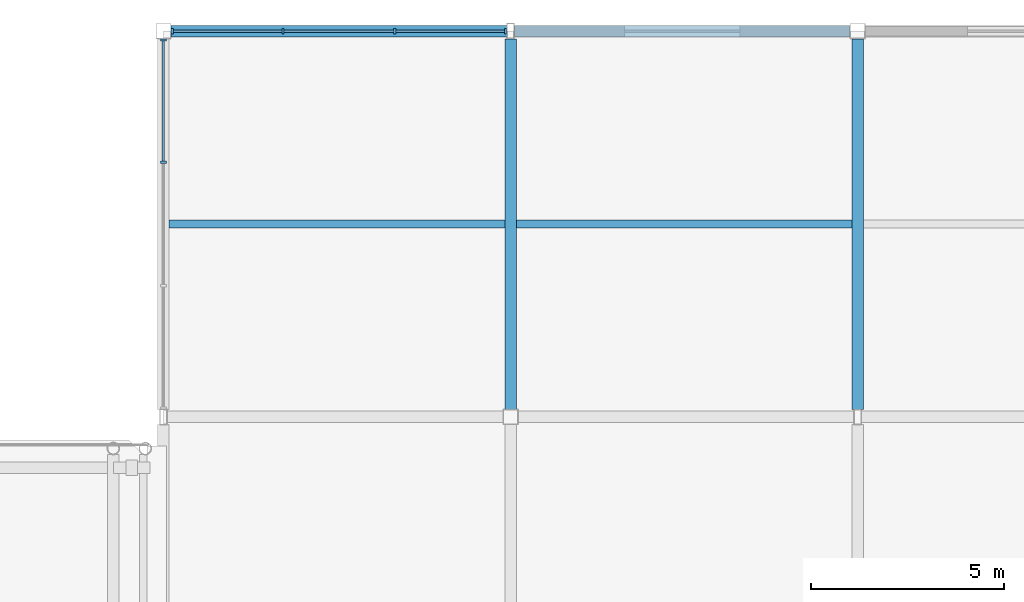
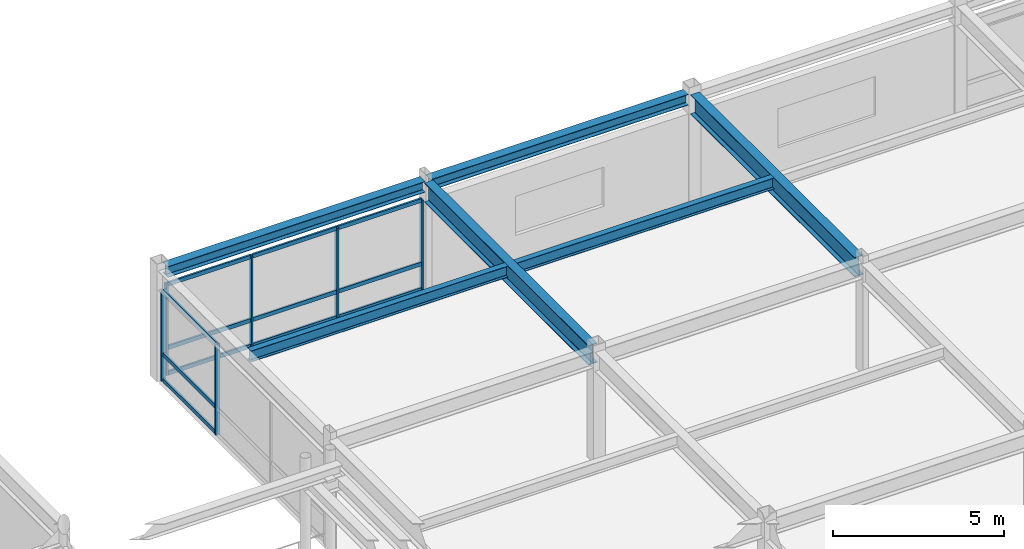
# One storey, part 43 of 108: 18 members, 6 beams, 2 elements without a shape of their own.
"""IFC4 building model written with IfcOpenShell, lengths in metres."""

from ifc_helpers import new_model, si_unit, direction, frame, origin, origin_2d, place, context, subcontext, project, spatial, rectangle, i_section, extrude, material, material_profile, profile_set, type_object, element, aggregate, save


model = new_model("IFC4")

# Units and contexts
model_context = context("Model", 3, precision=1e-05, world=origin(), true_north=direction((0.0, 1.0)))
body_context = subcontext(model_context, "Body", "Model", "MODEL_VIEW")
ifc_project = project(units=[si_unit("LENGTHUNIT", "METRE"), si_unit("AREAUNIT", "SQUARE_METRE"), si_unit("VOLUMEUNIT", "CUBIC_METRE"), si_unit("PLANEANGLEUNIT", "RADIAN"), si_unit("MASSUNIT", "GRAM", prefix="KILO")], contexts=[model_context])

# Site, building, storey
site_placement = place(None, origin())
site = spatial("IfcSite", under=ifc_project, at=site_placement, CompositionType="ELEMENT")
building_placement = place(site_placement, origin())
building = spatial("IfcBuilding", under=site, at=building_placement, Name="Suzunagisa Mobility Hub", CompositionType="ELEMENT")
storey_placement = place(building_placement, frame((0.0, 0.0, 9.300048828125)))
storey = spatial("IfcBuildingStorey", under=building, at=storey_placement, Name="L02", CompositionType="ELEMENT", Elevation=9.300048828125)

# Curtain wall, members
ifc_material_1 = material(Name="Thermally Broken Anodized Aluminum and Low-E Glazing", Category="aluminium")
curtain_wall_type_1 = type_object("IfcCurtainWallType", Name="Unitised Curtain Wall CW-13 8750x3200", PredefinedType="USERDEFINED", material=ifc_material_1)
curtain_wall_1_placement = place(storey_placement, origin())
curtain_wall_1 = element("IfcCurtainWall", 1, at=curtain_wall_1_placement, inside=storey, type_object=curtain_wall_type_1, Name="L02 Unitised Curtain Wall CW-118", ObjectType="UNITISED CURTAIN WALL", PredefinedType="USERDEFINED")
ifc_material_2 = material(Name="Anodized Aluminum 6063-T6", Category="aluminium")
ifc_material_profile_1 = material_profile(ifc_material_2, rectangle(XDim=0.06494140625, YDim=0.139892578125, at=origin_2d()), Name="TRAN-65x140")
ifc_profile_set_1 = profile_set([ifc_material_profile_1], Name="Anodized Aluminum 6063-T6")
member_type_1 = type_object("IfcMemberType", Name="Curtain Wall Framing CM-01 TRAN-65x140", PredefinedType="USERDEFINED", material=ifc_profile_set_1)
member_1_placement = place(storey_placement, frame((53.842041015625, 118.0, 0.032470703125), z_axis=(-1.0, 0.0, 0.0), x_axis=(0.0, -1.0, 0.0)))
member_1 = element("IfcMember", 2, at=member_1_placement, type_object=member_type_1, Name="Curtain Wall Transom 118-T1.1", ObjectType="TRANSOM", PredefinedType="USERDEFINED", context=body_context, shape_type="SweptSolid", body=[
    extrude(rectangle(XDim=0.06494140625, YDim=0.139892578125, at=origin_2d()), origin(), (0.0, 0.0, 1.0), 2.81396484375),
])
member_2_placement = place(storey_placement, frame((53.842041015625, 118.0, 0.949951171875), z_axis=(-1.0, 0.0, 0.0), x_axis=(0.0, -1.0, 0.0)))
member_2 = element("IfcMember", 3, at=member_2_placement, type_object=member_type_1, Name="Curtain Wall Transom 118-T1.2", ObjectType="TRANSOM", PredefinedType="USERDEFINED", context=body_context, shape_type="SweptSolid", body=[
    extrude(rectangle(XDim=0.06494140625, YDim=0.139892578125, at=origin_2d()), origin(), (0.0, 0.0, 1.0), 2.81396484375),
])
member_3_placement = place(storey_placement, frame((53.842041015625, 118.0, 3.217529296875), z_axis=(-1.0, 0.0, 0.0), x_axis=(0.0, -1.0, 0.0)))
member_3 = element("IfcMember", 4, at=member_3_placement, type_object=member_type_1, Name="Curtain Wall Transom 118-T1.3", ObjectType="TRANSOM", PredefinedType="USERDEFINED", context=body_context, shape_type="SweptSolid", body=[
    extrude(rectangle(XDim=0.06494140625, YDim=0.139892578125, at=origin_2d()), origin(), (0.0, 0.0, 1.0), 2.81396484375),
])
member_4_placement = place(storey_placement, frame((50.971923828125, 118.0, 0.032470703125), z_axis=(-1.0, 0.0, 0.0), x_axis=(0.0, -1.0, 0.0)))
member_4 = element("IfcMember", 5, at=member_4_placement, type_object=member_type_1, Name="Curtain Wall Transom 118-T2.1", ObjectType="TRANSOM", PredefinedType="USERDEFINED", context=body_context, shape_type="SweptSolid", body=[
    extrude(rectangle(XDim=0.06494140625, YDim=0.139892578125, at=origin_2d()), origin(), (0.0, 0.0, 1.0), 2.843994140625),
])
member_5_placement = place(storey_placement, frame((50.971923828125, 118.0, 0.949951171875), z_axis=(-1.0, 0.0, 0.0), x_axis=(0.0, -1.0, 0.0)))
member_5 = element("IfcMember", 6, at=member_5_placement, type_object=member_type_1, Name="Curtain Wall Transom 118-T2.2", ObjectType="TRANSOM", PredefinedType="USERDEFINED", context=body_context, shape_type="SweptSolid", body=[
    extrude(rectangle(XDim=0.06494140625, YDim=0.139892578125, at=origin_2d()), origin(), (0.0, 0.0, 1.0), 2.843994140625),
])
member_6_placement = place(storey_placement, frame((50.971923828125, 118.0, 3.217529296875), z_axis=(-1.0, 0.0, 0.0), x_axis=(0.0, -1.0, 0.0)))
member_6 = element("IfcMember", 7, at=member_6_placement, type_object=member_type_1, Name="Curtain Wall Transom 118-T2.3", ObjectType="TRANSOM", PredefinedType="USERDEFINED", context=body_context, shape_type="SweptSolid", body=[
    extrude(rectangle(XDim=0.06494140625, YDim=0.139892578125, at=origin_2d()), origin(), (0.0, 0.0, 1.0), 2.843994140625),
])
member_7_placement = place(storey_placement, frame((48.072021484375, 118.0, 0.032470703125), z_axis=(-1.0, 0.0, 0.0), x_axis=(0.0, -1.0, 0.0)))
member_7 = element("IfcMember", 8, at=member_7_placement, type_object=member_type_1, Name="Curtain Wall Transom 118-T3.1", ObjectType="TRANSOM", PredefinedType="USERDEFINED", context=body_context, shape_type="SweptSolid", body=[
    extrude(rectangle(XDim=0.06494140625, YDim=0.139892578125, at=origin_2d()), origin(), (0.0, 0.0, 1.0), 2.81396484375),
])
member_8_placement = place(storey_placement, frame((48.072021484375, 118.0, 0.949951171875), z_axis=(-1.0, 0.0, 0.0), x_axis=(0.0, -1.0, 0.0)))
member_8 = element("IfcMember", 9, at=member_8_placement, type_object=member_type_1, Name="Curtain Wall Transom 118-T3.2", ObjectType="TRANSOM", PredefinedType="USERDEFINED", context=body_context, shape_type="SweptSolid", body=[
    extrude(rectangle(XDim=0.06494140625, YDim=0.139892578125, at=origin_2d()), origin(), (0.0, 0.0, 1.0), 2.81396484375),
])
member_9_placement = place(storey_placement, frame((48.072021484375, 118.0, 3.217529296875), z_axis=(-1.0, 0.0, 0.0), x_axis=(0.0, -1.0, 0.0)))
member_9 = element("IfcMember", 10, at=member_9_placement, type_object=member_type_1, Name="Curtain Wall Transom 118-T3.3", ObjectType="TRANSOM", PredefinedType="USERDEFINED", context=body_context, shape_type="SweptSolid", body=[
    extrude(rectangle(XDim=0.06494140625, YDim=0.139892578125, at=origin_2d()), origin(), (0.0, 0.0, 1.0), 2.81396484375),
])

curtain_wall_type_2 = type_object("IfcCurtainWallType", Name="Unitised Curtain Wall CW-07 9500x3200", PredefinedType="USERDEFINED", material=ifc_material_1)
curtain_wall_2_placement = place(storey_placement, origin())
curtain_wall_2 = element("IfcCurtainWall", 11, at=curtain_wall_2_placement, inside=storey, type_object=curtain_wall_type_2, Name="L02 Unitised Curtain Wall CW-119", ObjectType="UNITISED CURTAIN WALL", PredefinedType="USERDEFINED")
member_10_placement = place(storey_placement, frame((45.0, 117.741943359375, 0.032470703125), z_axis=(0.0, -1.0, 0.0), x_axis=(1.0, 0.0, 0.0)))
member_10 = element("IfcMember", 12, at=member_10_placement, type_object=member_type_1, Name="Curtain Wall Transom 119-T1.1", ObjectType="TRANSOM", PredefinedType="USERDEFINED", context=body_context, shape_type="SweptSolid", body=[
    extrude(rectangle(XDim=0.06494140625, YDim=0.139892578125, at=origin_2d()), origin(), (0.0, 0.0, 1.0), 3.114013671875),
])
member_11_placement = place(storey_placement, frame((45.0, 117.741943359375, 0.949951171875), z_axis=(0.0, -1.0, 0.0), x_axis=(1.0, 0.0, 0.0)))
member_11 = element("IfcMember", 13, at=member_11_placement, type_object=member_type_1, Name="Curtain Wall Transom 119-T1.2", ObjectType="TRANSOM", PredefinedType="USERDEFINED", context=body_context, shape_type="SweptSolid", body=[
    extrude(rectangle(XDim=0.06494140625, YDim=0.139892578125, at=origin_2d()), origin(), (0.0, 0.0, 1.0), 3.114013671875),
])
member_12_placement = place(storey_placement, frame((45.0, 117.741943359375, 3.217529296875), z_axis=(0.0, -1.0, 0.0), x_axis=(1.0, 0.0, 0.0)))
member_12 = element("IfcMember", 14, at=member_12_placement, type_object=member_type_1, Name="Curtain Wall Transom 119-T1.3", ObjectType="TRANSOM", PredefinedType="USERDEFINED", context=body_context, shape_type="SweptSolid", body=[
    extrude(rectangle(XDim=0.06494140625, YDim=0.139892578125, at=origin_2d()), origin(), (0.0, 0.0, 1.0), 3.114013671875),
])

# Member
ifc_material_profile_2 = material_profile(ifc_material_2, rectangle(XDim=0.06005859375, YDim=0.14990234375, at=origin_2d()), Name="MULL-60x150")
ifc_profile_set_2 = profile_set([ifc_material_profile_2], Name="Anodized Aluminum 6063-T6")
member_type_2 = type_object("IfcMemberType", Name="Curtain Wall Framing CM-03 MULL-60x150", PredefinedType="MULLION", material=ifc_profile_set_2)
member_13_placement = place(storey_placement, frame((53.8701171875, 118.0, 0.0), z_axis=(0.0, 0.0, 1.0), x_axis=(-1.0, 0.0, 0.0)))
member_13 = element("IfcMember", 15, at=member_13_placement, type_object=member_type_2, Name="Curtain Wall Mullion 118-M1", PredefinedType="MULLION", context=body_context, shape_type="SweptSolid", body=[
    extrude(rectangle(XDim=0.06005859375, YDim=0.14990234375, at=origin_2d()), origin(), (0.0, 0.0, 1.0), 3.25),
])

member_14_placement = place(storey_placement, frame((51.0, 118.0, 0.0), z_axis=(0.0, 0.0, 1.0), x_axis=(-1.0, 0.0, 0.0)))
member_14 = element("IfcMember", 16, at=member_14_placement, type_object=member_type_2, Name="Curtain Wall Mullion 118-M2", PredefinedType="MULLION", context=body_context, shape_type="SweptSolid", body=[
    extrude(rectangle(XDim=0.06005859375, YDim=0.14990234375, at=origin_2d()), origin(), (0.0, 0.0, 1.0), 3.25),
])

member_15_placement = place(storey_placement, frame((48.10009765625, 118.0, 0.0), z_axis=(0.0, 0.0, 1.0), x_axis=(-1.0, 0.0, 0.0)))
member_15 = element("IfcMember", 17, at=member_15_placement, type_object=member_type_2, Name="Curtain Wall Mullion 118-M3", PredefinedType="MULLION", context=body_context, shape_type="SweptSolid", body=[
    extrude(rectangle(XDim=0.06005859375, YDim=0.14990234375, at=origin_2d()), origin(), (0.0, 0.0, 1.0), 3.25),
])

member_16_placement = place(storey_placement, frame((45.22998046875, 118.0, 0.0), z_axis=(0.0, 0.0, 1.0), x_axis=(-1.0, 0.0, 0.0)))
member_16 = element("IfcMember", 18, at=member_16_placement, type_object=member_type_2, Name="Curtain Wall Mullion 118-M4", PredefinedType="MULLION", context=body_context, shape_type="SweptSolid", body=[
    extrude(rectangle(XDim=0.06005859375, YDim=0.14990234375, at=origin_2d()), origin(), (0.0, 0.0, 1.0), 3.25),
])

aggregate(curtain_wall_1, [member_13, member_14, member_15, member_16, member_1, member_2, member_3, member_4, member_5, member_6, member_7, member_8, member_9])

member_17_placement = place(storey_placement, frame((45.0, 117.77001953125, 0.0), z_axis=(0.0, 0.0, 1.0), x_axis=(0.0, -1.0, 0.0)))
member_17 = element("IfcMember", 19, at=member_17_placement, type_object=member_type_2, Name="Curtain Wall Mullion 119-M1", PredefinedType="MULLION", context=body_context, shape_type="SweptSolid", body=[
    extrude(rectangle(XDim=0.06005859375, YDim=0.14990234375, at=origin_2d()), origin(), (0.0, 0.0, 1.0), 3.25),
])

member_18_placement = place(storey_placement, frame((45.0, 114.60009765625, 0.0), z_axis=(0.0, 0.0, 1.0), x_axis=(0.0, -1.0, 0.0)))
member_18 = element("IfcMember", 20, at=member_18_placement, type_object=member_type_2, Name="Curtain Wall Mullion 119-M2", PredefinedType="MULLION", context=body_context, shape_type="SweptSolid", body=[
    extrude(rectangle(XDim=0.06005859375, YDim=0.14990234375, at=origin_2d()), origin(), (0.0, 0.0, 1.0), 3.25),
])

aggregate(curtain_wall_2, [member_17, member_18, member_10, member_11, member_12])

# Beams
ifc_material_3 = material(Name="Steel SN490B", Category="steel")
ifc_material_profile_3 = material_profile(ifc_material_3, i_section(OverallWidth=0.300048828125, OverallDepth=0.699951171875, WebThickness=0.012939453125, FlangeThickness=0.02392578125, FilletRadius=0.01806640625, at=origin_2d()), Name="H-700x300x13x24")
ifc_profile_set_3 = profile_set([ifc_material_profile_3], Name="Steel SN490B")
beam_type_1 = type_object("IfcBeamType", Name="Steel Beam BM-11 H-700x300x13x24", PredefinedType="BEAM", material=ifc_profile_set_3)
for number, where, z_axis, x_axis, name in (
    (21, (54.0, 108.196044921875, 3.599853515625), (0.0, 1.0, 0.0), (-1.0, 0.0, 0.0), "L02 Primary Girder GY-966"),
    (22, (63.0, 108.196044921875, 3.599853515625), (0.0, 1.0, 0.0), (-1.0, 0.0, 0.0), "L02 Primary Girder GY-970"),
):
    element("IfcBeam", number, at=place(storey_placement, frame(where, z_axis=z_axis, x_axis=x_axis)), inside=storey, type_object=beam_type_1, Name=name, PredefinedType="BEAM", context=body_context, shape_type="SweptSolid", body=[
        extrude(i_section(OverallWidth=0.300048828125, OverallDepth=0.699951171875, WebThickness=0.012939453125, FlangeThickness=0.02392578125, FilletRadius=0.01806640625, at=origin_2d()), origin(), (0.0, 0.0, 1.0), 9.60791015625),
    ])
ifc_material_profile_4 = material_profile(ifc_material_3, i_section(OverallWidth=0.300048828125, OverallDepth=0.389892578125, WebThickness=0.010009765625, FlangeThickness=0.01611328125, FilletRadius=0.012939453125, at=origin_2d()), Name="H-390x300x10x16")
ifc_profile_set_4 = profile_set([ifc_material_profile_4], Name="Steel SN490B")
beam_type_2 = type_object("IfcBeamType", Name="Steel Beam BM-13 H-390x300x10x16", PredefinedType="SPANDREL", material=ifc_profile_set_4)
for number, where, z_axis, x_axis, name in (
    (23, (45.196044921875, 118.0, 3.7548828125), (1.0, 0.0, 0.0), (0.0, 1.0, 0.0), "L02 Primary Girder GX-951"),
    (24, (54.095947265625, 118.0, 3.7548828125), (1.0, 0.0, 0.0), (0.0, 1.0, 0.0), "L02 Primary Girder GX-952"),
):
    element("IfcBeam", number, at=place(storey_placement, frame(where, z_axis=z_axis, x_axis=x_axis)), inside=storey, type_object=beam_type_2, Name=name, PredefinedType="SPANDREL", context=body_context, shape_type="SweptSolid", body=[
        extrude(i_section(OverallWidth=0.300048828125, OverallDepth=0.389892578125, WebThickness=0.010009765625, FlangeThickness=0.01611328125, FilletRadius=0.012939453125, at=origin_2d()), origin(), (0.0, 0.0, 1.0), 8.7080078125),
    ])
ifc_material_4 = material(Name="Steel SN400B", Category="steel")
ifc_material_profile_5 = material_profile(ifc_material_4, i_section(OverallWidth=0.199951171875, OverallDepth=0.39990234375, WebThickness=0.008056640625, FlangeThickness=0.012939453125, FilletRadius=0.012939453125, at=origin_2d()), Name="H-400x200x8x13")
ifc_profile_set_5 = profile_set([ifc_material_profile_5], Name="Steel SN400B")
beam_type_3 = type_object("IfcBeamType", Name="Steel Beam BM-14 H-400x200x8x13", PredefinedType="JOIST", material=ifc_profile_set_5)
for number, where, z_axis, x_axis, name in (
    (25, (45.14990234375, 113.0, 3.75), (1.0, 0.0, 0.0), (0.0, 1.0, 0.0), "L02 Composite Floor Joist J-1002"),
    (26, (54.14990234375, 113.0, 3.75), (1.0, 0.0, 0.0), (0.0, 1.0, 0.0), "L02 Composite Floor Joist J-1005"),
):
    element("IfcBeam", number, at=place(storey_placement, frame(where, z_axis=z_axis, x_axis=x_axis)), inside=storey, type_object=beam_type_3, Name=name, PredefinedType="JOIST", context=body_context, shape_type="SweptSolid", body=[
        extrude(i_section(OverallWidth=0.199951171875, OverallDepth=0.39990234375, WebThickness=0.008056640625, FlangeThickness=0.012939453125, FilletRadius=0.012939453125, at=origin_2d()), origin(), (0.0, 0.0, 1.0), 8.7001953125),
    ])

save(model, "model.ifc")
